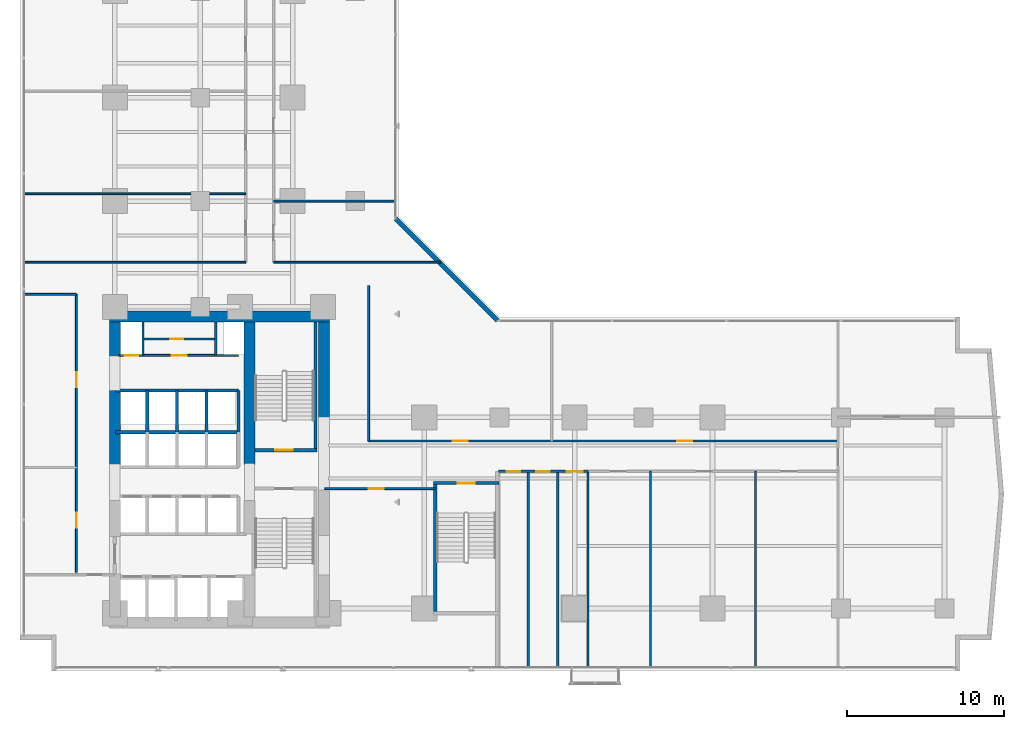
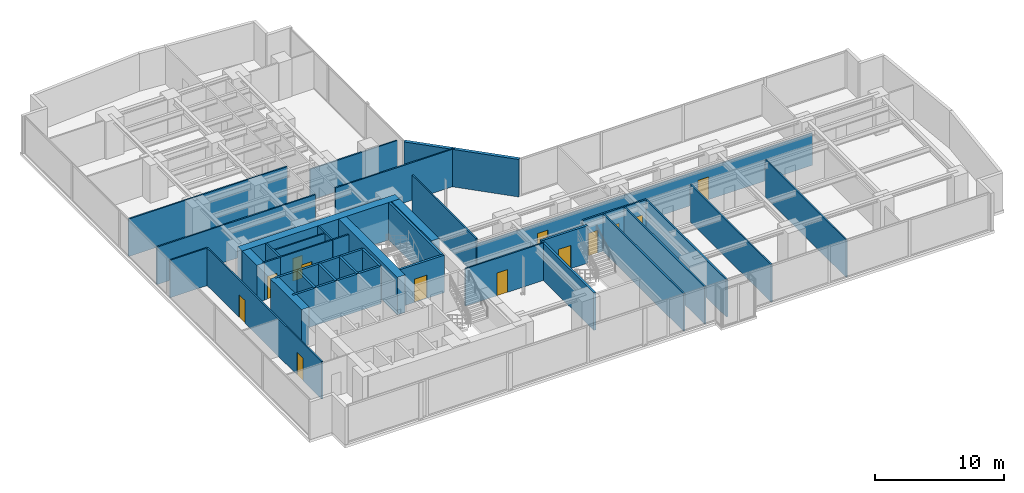
# One storey, part 23 of 28: 37 walls, 13 doors, 13 openings.
"""IFC4 building model written with IfcOpenShell, lengths in metres."""

import ifcopenshell
import ifcopenshell.guid

model = None  # the IFC model being written
_history = None  # IfcOwnerHistory: only IFC2X3 demands one
_inside = {}  # id of a spatial element -> (the spatial element, [elements in it])
_under = {}  # id of a project, library or spatial element -> (it, [spatial elements below it])
_declared = {}  # id of a project -> (the project, [libraries it declares])
_typed = {}  # id of a type object -> (the type object, [elements of that type])
_made_of = {}  # id of a material, layer set ... -> (it, [elements and type objects made of it])


def new_model(schema):
    """Start an empty IFC model of exactly this schema.

    Asked for "IFC4X3", IfcOpenShell would pick the latest addendum, in which some entities
    have other attributes; the version numbers below select the first issue.
    IFC2X3 requires an IfcOwnerHistory on every rooted entity: one is made here for all.
    """
    global model, _history
    if schema == "IFC4X3":
        model = ifcopenshell.file(schema_version=(4, 3, 0, 0))
    else:
        model = ifcopenshell.file(schema=schema)
    _inside.clear()
    _under.clear()
    _declared.clear()
    _typed.clear()
    _made_of.clear()
    _history = None
    if model.schema == "IFC2X3":
        org = make("IfcOrganization", Name="unknown")
        user = make(
            "IfcPersonAndOrganization",
            ThePerson=make("IfcPerson", FamilyName="unknown"),
            TheOrganization=org,
        )
        app = make(
            "IfcApplication",
            ApplicationDeveloper=org,
            Version="unknown",
            ApplicationFullName="unknown",
            ApplicationIdentifier="unknown",
        )
        _history = make(
            "IfcOwnerHistory",
            OwningUser=user,
            OwningApplication=app,
            ChangeAction="ADDED",
            CreationDate=0,
        )
    return model


def make(cls, **values):
    """One entity of the class cls with the attributes given. An attribute that is None is left unset."""
    return model.create_entity(
        cls, **{name: value for name, value in values.items() if value is not None}
    )


def rooted(cls, **values):
    """An entity with a GlobalId (a new one), such as an element, a storey or a relation."""
    return make(cls, GlobalId=ifcopenshell.guid.new(), OwnerHistory=_history, **values)


def si_unit(unit_type, name, prefix=None):
    """IfcSIUnit, for example si_unit("LENGTHUNIT", "METRE", prefix="MILLI")."""
    return make("IfcSIUnit", UnitType=unit_type, Prefix=prefix, Name=name)


def assignment(units):
    """IfcUnitAssignment: the units of a project."""
    return None if units is None else make("IfcUnitAssignment", Units=units)


def point(xyz):
    """IfcCartesianPoint."""
    return None if xyz is None else make("IfcCartesianPoint", Coordinates=xyz)


def direction(xyz):
    """IfcDirection."""
    return None if xyz is None else make("IfcDirection", DirectionRatios=xyz)


def frame(location, z_axis=None, x_axis=None):
    """IfcAxis2Placement3D, a coordinate frame: its origin and axes. An axis left out is left unset."""
    return make(
        "IfcAxis2Placement3D",
        Location=point(location),
        Axis=direction(z_axis),
        RefDirection=direction(x_axis),
    )


def frame_2d(location, x_axis=None):
    """IfcAxis2Placement2D, a coordinate frame in the plane: its origin and x axis."""
    return make(
        "IfcAxis2Placement2D", Location=point(location), RefDirection=direction(x_axis)
    )


def origin():
    """The frame at (0, 0, 0) with its axes left unset."""
    return frame((0.0, 0.0, 0.0))


def place(relative_to, where):
    """IfcLocalPlacement: puts the frame where relative to a parent placement (None: the world)."""
    return make(
        "IfcLocalPlacement", PlacementRelTo=relative_to, RelativePlacement=where
    )


def context(
    kind, dimensions, precision=None, world=None, true_north=None, identifier=None
):
    """IfcGeometricRepresentationContext, for example the 3D "Model" context."""
    return make(
        "IfcGeometricRepresentationContext",
        ContextIdentifier=identifier,
        ContextType=kind,
        CoordinateSpaceDimension=dimensions,
        Precision=precision,
        WorldCoordinateSystem=world,
        TrueNorth=true_north,
    )


def subcontext(parent, identifier, kind, view, scale=None):
    """IfcGeometricRepresentationSubContext, for example "Body" below "Model"."""
    return make(
        "IfcGeometricRepresentationSubContext",
        ContextIdentifier=identifier,
        ContextType=kind,
        ParentContext=parent,
        TargetScale=scale,
        TargetView=view,
    )


def project(units=None, contexts=None):
    """IfcProject with its units and contexts."""
    return rooted(
        "IfcProject",
        Name="project",
        RepresentationContexts=contexts,
        UnitsInContext=assignment(units),
    )


def spatial(cls, under=None, at=None, **own):
    """A site, building, storey or space (cls), placed at a placement, below another one or the project."""
    s = rooted(cls, ObjectPlacement=at, **own)
    if under is not None:
        _under.setdefault(under.id(), (under, []))[1].append(s)
    return s


def profile(cls, at=None, kind="AREA", **sizes):
    """A parametric profile (cls). Its sizes go by their IFC names, for example OverallWidth=200.0."""
    return make(cls, ProfileType=kind, Position=at, **sizes)


def rectangle(**sizes):
    """IfcRectangleProfileDef."""
    return profile("IfcRectangleProfileDef", **sizes)


def extrude(swept, where, along, depth):
    """IfcExtrudedAreaSolid: the profile swept, set in the frame where, extruded along a direction by depth."""
    return make(
        "IfcExtrudedAreaSolid",
        SweptArea=swept,
        Position=where,
        ExtrudedDirection=direction(along),
        Depth=depth,
    )


def shape(context_of_items, identifier, shape_type, items):
    """IfcShapeRepresentation: the items that make up one representation, for example the "Body"."""
    return make(
        "IfcShapeRepresentation",
        ContextOfItems=context_of_items,
        RepresentationIdentifier=identifier,
        RepresentationType=shape_type,
        Items=items,
    )


def material(Name=None, Category=None):
    """IfcMaterial."""
    return make("IfcMaterial", Name=Name, Category=Category)


def layer(
    of_material, thickness, ventilated=None, Name=None, Category=None, Priority=None
):
    """IfcMaterialLayer: one layer of a wall or slab, of a material (None: an air gap)."""
    return make(
        "IfcMaterialLayer",
        Material=of_material,
        LayerThickness=thickness,
        IsVentilated=ventilated,
        Name=Name,
        Category=Category,
        Priority=Priority,
    )


def layer_set(layers, Name=None):
    """IfcMaterialLayerSet."""
    return make("IfcMaterialLayerSet", MaterialLayers=layers, LayerSetName=Name)


def made_of(thing, what):
    """Note that an element or type object is made of a material, layer set ...; save() writes the relation."""
    if what is not None:
        _made_of.setdefault(what.id(), (what, []))[1].append(thing)
    return thing


def type_object(cls, material=None, **own):
    """A type object (cls), such as IfcWallType, which elements share."""
    return made_of(rooted(cls, **own), material)


def element(
    cls,
    number,
    at=None,
    inside=None,
    cuts=None,
    type_object=None,
    material=None,
    context=None,
    identifier="Body",
    shape_type=None,
    held_by="IfcProductDefinitionShape",
    body=None,
    shapes=None,
    **own,
):
    """One element of the class cls, such as IfcWall. Its Tag is "e" and its number.

    at: its placement. inside: the storey or other place that contains it. cuts: it is an
    opening in that element (IfcRelVoidsElement). A single representation is given by context,
    identifier, shape_type and body (its items); several are given by shapes. held_by: the class
    of the entity that holds the representations. save() writes the other relations.
    """
    e = rooted(cls, Tag="e%d" % number, ObjectPlacement=at, **own)
    if body is not None:
        shapes = [shape(context, identifier, shape_type, body)]
    if shapes is not None:
        e.Representation = make(held_by, Representations=shapes)
    if inside is not None:
        _inside.setdefault(inside.id(), (inside, []))[1].append(e)
    if cuts is not None:
        rooted(
            "IfcRelVoidsElement", RelatingBuildingElement=cuts, RelatedOpeningElement=e
        )
    if type_object is not None:
        _typed.setdefault(type_object.id(), (type_object, []))[1].append(e)
    return made_of(e, material)


def fill(opening, filler):
    """IfcRelFillsElement: the door or window that sits in an opening."""
    return rooted(
        "IfcRelFillsElement",
        RelatingOpeningElement=opening,
        RelatedBuildingElement=filler,
    )


def aggregate(whole, parts):
    """IfcRelAggregates: a whole, such as a stair, and the parts it consists of."""
    return rooted("IfcRelAggregates", RelatingObject=whole, RelatedObjects=parts)


def save(model, path):
    """Write the relations noted so far, then the file.

    IfcRelAggregates (storeys below a building ...), IfcRelContainedInSpatialStructure (elements
    in a storey), IfcRelDefinesByType, IfcRelAssociatesMaterial and IfcRelDeclares: one each for
    every whole, place, type object, material and project.
    """
    for whole, parts in _under.values():
        aggregate(whole, parts)
    for where, things in _inside.values():
        rooted(
            "IfcRelContainedInSpatialStructure",
            RelatedElements=things,
            RelatingStructure=where,
        )
    for kind, things in _typed.values():
        rooted("IfcRelDefinesByType", RelatedObjects=things, RelatingType=kind)
    for what, things in _made_of.values():
        rooted("IfcRelAssociatesMaterial", RelatedObjects=things, RelatingMaterial=what)
    for by, libraries in _declared.values():
        rooted("IfcRelDeclares", RelatingContext=by, RelatedDefinitions=libraries)
    model.write(path)


model = new_model("IFC4")

# Units and contexts
model_context = context("Model", 3, precision=1e-05, world=origin(), true_north=direction((0.0, 1.0)))
body_context = subcontext(model_context, "Body", "Model", "MODEL_VIEW")
ifc_project = project(units=[si_unit("LENGTHUNIT", "METRE"), si_unit("AREAUNIT", "SQUARE_METRE"), si_unit("VOLUMEUNIT", "CUBIC_METRE"), si_unit("PLANEANGLEUNIT", "RADIAN"), si_unit("MASSUNIT", "GRAM", prefix="KILO")], contexts=[model_context])

# Site, building, storey
site_placement = place(None, origin())
site = spatial("IfcSite", under=ifc_project, at=site_placement, CompositionType="ELEMENT")
building_placement = place(site_placement, origin())
building = spatial("IfcBuilding", under=site, at=building_placement, Name="Kolvaren Waterfront Exchange", CompositionType="ELEMENT")
storey_placement = place(building_placement, frame((0.0, 0.0, 56.199951171875)))
storey = spatial("IfcBuildingStorey", under=building, at=storey_placement, Name="L14", CompositionType="ELEMENT", Elevation=56.199951171875)

# Wall
ifc_material_1 = material(Name="Precast concrete C40/50", Category="concrete")
ifc_layer_1 = layer(ifc_material_1, 0.280029296875, Name="Precast concrete C40/50")
ifc_layer_set_1 = layer_set([ifc_layer_1], Name="Precast concrete C40/50")
wall_type_1 = type_object("IfcWallType", Name="ARC-EXT-TERR-280", PredefinedType="SOLIDWALL", material=ifc_layer_set_1)
wall_1_placement = place(storey_placement, frame((31.885009765625, 23.574951171875, 0.0), z_axis=(0.0, 0.0, 1.0), x_axis=(-0.707106781187, 0.707106781187, 0.0)))
element("IfcWall", 1, at=wall_1_placement, inside=storey, type_object=wall_type_1, Name="L14 notched corner spandrel pier ELBOW", PredefinedType="SOLIDWALL", context=body_context, shape_type="SweptSolid", body=[
    extrude(rectangle(XDim=9.20654296875, YDim=0.280029296875, at=frame_2d((4.603271484375, 0.0))), origin(), (0.0, 0.0, 1.0), 3.5400390625),
])

# Wall, opening, door
ifc_layer_2 = layer(ifc_material_1, 0.199951171875, Name="Precast concrete C40/50")
ifc_layer_set_2 = layer_set([ifc_layer_2], Name="Precast concrete C40/50")
wall_type_2 = type_object("IfcWallType", Name="ARC-FIRE-200", PredefinedType="PARTITIONING", material=ifc_layer_set_2)
wall_2_placement = place(storey_placement, frame((16.409912109375, 15.300048828125, 0.0), z_axis=(0.0, 0.0, 1.0), x_axis=(1.0, 0.0, 0.0)))
wall_2 = element("IfcWall", 2, at=wall_2_placement, inside=storey, type_object=wall_type_2, Name="L14 interior wall PW-L14-ST2-THROAT-N", PredefinedType="PARTITIONING", context=body_context, shape_type="SweptSolid", body=[
    extrude(rectangle(XDim=3.9501953125, YDim=0.199951171875, at=frame_2d((1.97509765625, 0.0))), origin(), (0.0, 0.0, 1.0), 3.5400390625),
])
opening_1_placement = place(wall_2_placement, frame((1.293701171875, 0.0, 0.0)))
opening_1 = element("IfcOpeningElement", 3, at=opening_1_placement, cuts=wall_2, Name="Opening FD2", PredefinedType="OPENING", context=body_context, shape_type="SweptSolid", body=[
    extrude(rectangle(XDim=1.10009765625, YDim=2.199951171875, at=frame_2d((0.550048828125, 1.10009765625))), frame((0.0, 0.10986328125, 0.0), z_axis=(0.0, -1.0, 0.0), x_axis=(1.0, 0.0, 0.0)), (0.0, 0.0, 1.0), 0.219970703125),
])
ifc_material_2 = material(Name="Pressed steel smoke-seal fire door", Category="steel")
door_type_1 = type_object("IfcDoorType", Name="ARC-FD-1100", OperationType="NOTDEFINED", PredefinedType="DOOR", material=ifc_material_2)
door_1_placement = place(opening_1_placement, origin())
door_1 = element("IfcDoor", 4, at=door_1_placement, inside=storey, type_object=door_type_1, Name="L14 door DR-L14-ST2-IN (FD2)", OperationType="SINGLE_SWING_RIGHT", OverallHeight=2.199951171875, OverallWidth=1.10009765625, PredefinedType="DOOR", context=body_context, shape_type="SweptSolid", body=[
    extrude(rectangle(XDim=1.10009765625, YDim=2.199951171875, at=frame_2d((0.550048828125, 1.10009765625))), frame((0.0, 0.02490234375, 0.0), z_axis=(0.0, -1.0, 0.0), x_axis=(1.0, 0.0, 0.0)), (0.0, 0.0, 1.0), 0.050048828125),
])
fill(opening_1, door_1)

ifc_material_3 = material(Name="Acoustic gypsum steel stud", Category="steel")
ifc_layer_3 = layer(ifc_material_3, 0.125, Name="Acoustic gypsum steel stud")
ifc_layer_set_3 = layer_set([ifc_layer_3], Name="Acoustic gypsum steel stud")
wall_type_3 = type_object("IfcWallType", Name="ARC-PART-125", PredefinedType="PARTITIONING", material=ifc_layer_set_3)
wall_3_placement = place(storey_placement, frame((9.25, 21.35009765625, 0.0), z_axis=(0.0, 0.0, 1.0), x_axis=(1.0, 0.0, 0.0)))
wall_3 = element("IfcWall", 5, at=wall_3_placement, inside=storey, type_object=wall_type_3, Name="L14 interior wall PW-L14-SVC-EX-S", PredefinedType="PARTITIONING", context=body_context, shape_type="SweptSolid", body=[
    extrude(rectangle(XDim=4.64990234375, YDim=0.125, at=frame_2d((2.324951171875, 0.0))), origin(), (0.0, 0.0, 1.0), 3.5400390625),
])
opening_2_placement = place(wall_3_placement, frame((1.85009765625, 0.0, 0.0)))
opening_2 = element("IfcOpeningElement", 6, at=opening_2_placement, cuts=wall_3, Name="Opening D02", PredefinedType="OPENING", context=body_context, shape_type="SweptSolid", body=[
    extrude(rectangle(XDim=0.949951171875, YDim=2.14990234375, at=frame_2d((0.47509765625, 1.074951171875))), frame((0.0, 0.072509765625, 0.0), z_axis=(0.0, -1.0, 0.0), x_axis=(1.0, 0.0, 0.0)), (0.0, 0.0, 1.0), 0.14501953125),
])
ifc_material_4 = material(Name="Oak veneer acoustic timber", Category="wood")
door_type_2 = type_object("IfcDoorType", Name="ARC-DR-950", OperationType="NOTDEFINED", PredefinedType="DOOR", material=ifc_material_4)
door_2_placement = place(opening_2_placement, origin())
door_2 = element("IfcDoor", 7, at=door_2_placement, inside=storey, type_object=door_type_2, Name="L14 door DR-L14-SVC-DR-1 (D02)", OperationType="SINGLE_SWING_RIGHT", OverallHeight=2.14990234375, OverallWidth=0.949951171875, PredefinedType="DOOR", context=body_context, shape_type="SweptSolid", body=[
    extrude(rectangle(XDim=0.949951171875, YDim=2.14990234375, at=frame_2d((0.47509765625, 1.074951171875))), frame((0.0, 0.02490234375, 0.0), z_axis=(0.0, -1.0, 0.0), x_axis=(1.0, 0.0, 0.0)), (0.0, 0.0, 1.0), 0.050048828125),
])
fill(opening_2, door_2)

wall_4_placement = place(storey_placement, frame((9.25, 22.39990234375, 0.0), z_axis=(0.0, 0.0, 1.0), x_axis=(1.0, 0.0, 0.0)))
wall_4 = element("IfcWall", 8, at=wall_4_placement, inside=storey, type_object=wall_type_3, Name="L14 interior wall PW-L14-SVC-EX-HS", PredefinedType="PARTITIONING", context=body_context, shape_type="SweptSolid", body=[
    extrude(rectangle(XDim=4.64990234375, YDim=0.125, at=frame_2d((2.324951171875, 0.0))), origin(), (0.0, 0.0, 1.0), 3.5400390625),
])
opening_3_placement = place(wall_4_placement, frame((1.727783203125, 0.0, 0.0)))
opening_3 = element("IfcOpeningElement", 9, at=opening_3_placement, cuts=wall_4, Name="Opening D01", PredefinedType="OPENING", context=body_context, shape_type="SweptSolid", body=[
    extrude(rectangle(XDim=0.85009765625, YDim=2.14990234375, at=frame_2d((0.425048828125, 1.074951171875))), frame((0.0, 0.072509765625, 0.0), z_axis=(0.0, -1.0, 0.0), x_axis=(1.0, 0.0, 0.0)), (0.0, 0.0, 1.0), 0.14501953125),
])
ifc_material_5 = material(Name="Oak veneer timber leaf", Category="wood")
door_type_3 = type_object("IfcDoorType", Name="ARC-DR-900", OperationType="NOTDEFINED", PredefinedType="DOOR", material=ifc_material_5)
door_3_placement = place(opening_3_placement, origin())
door_3 = element("IfcDoor", 10, at=door_3_placement, inside=storey, type_object=door_type_3, Name="L14 door DR-L14-SVC-DR-2 (D01)", OperationType="SINGLE_SWING_LEFT", OverallHeight=2.14990234375, OverallWidth=0.85009765625, PredefinedType="DOOR", context=body_context, shape_type="SweptSolid", body=[
    extrude(rectangle(XDim=0.85009765625, YDim=2.14990234375, at=frame_2d((0.425048828125, 1.074951171875))), frame((0.0, 0.02490234375, 0.0), z_axis=(0.0, -1.0, 0.0), x_axis=(1.0, 0.0, 0.0)), (0.0, 0.0, 1.0), 0.050048828125),
])
fill(opening_3, door_3)

# Wall, openings, doors
wall_5_placement = place(storey_placement, frame((5.0, 7.5, 0.0), z_axis=(0.0, 0.0, 1.0), x_axis=(0.0, 1.0, 0.0)))
wall_5 = element("IfcWall", 11, at=wall_5_placement, inside=storey, type_object=wall_type_3, Name="L14 interior wall PW-L14-WFLANK-E", PredefinedType="PARTITIONING", context=body_context, shape_type="SweptSolid", body=[
    extrude(rectangle(XDim=17.75, YDim=0.125, at=frame_2d((8.875, 0.0))), origin(), (0.0, 0.0, 1.0), 3.5400390625),
])
opening_4_placement = place(wall_5_placement, frame((2.85009765625, 0.0, 0.0)))
opening_4 = element("IfcOpeningElement", 12, at=opening_4_placement, cuts=wall_5, Name="Opening D02", PredefinedType="OPENING", context=body_context, shape_type="SweptSolid", body=[
    extrude(rectangle(XDim=0.949951171875, YDim=2.14990234375, at=frame_2d((0.47509765625, 1.074951171875))), frame((0.0, 0.072509765625, 0.0), z_axis=(0.0, -1.0, 0.0), x_axis=(1.0, 0.0, 0.0)), (0.0, 0.0, 1.0), 0.14501953125),
])
opening_5_placement = place(wall_5_placement, frame((11.82080078125, 0.0, 0.0)))
opening_5 = element("IfcOpeningElement", 13, at=opening_5_placement, cuts=wall_5, Name="Opening D02", PredefinedType="OPENING", context=body_context, shape_type="SweptSolid", body=[
    extrude(rectangle(XDim=0.949951171875, YDim=2.14990234375, at=frame_2d((0.47509765625, 1.074951171875))), frame((0.0, 0.072509765625, 0.0), z_axis=(0.0, -1.0, 0.0), x_axis=(1.0, 0.0, 0.0)), (0.0, 0.0, 1.0), 0.14501953125),
])
door_4_placement = place(opening_4_placement, origin())
door_4 = element("IfcDoor", 14, at=door_4_placement, inside=storey, type_object=door_type_2, Name="L14 door DR-L14-WFL1-D (D02)", OperationType="SINGLE_SWING_RIGHT", OverallHeight=2.14990234375, OverallWidth=0.949951171875, PredefinedType="DOOR", context=body_context, shape_type="SweptSolid", body=[
    extrude(rectangle(XDim=0.949951171875, YDim=2.14990234375, at=frame_2d((0.47509765625, 1.074951171875))), frame((0.0, 0.02490234375, 0.0), z_axis=(0.0, -1.0, 0.0), x_axis=(1.0, 0.0, 0.0)), (0.0, 0.0, 1.0), 0.050048828125),
])
fill(opening_4, door_4)
door_5_placement = place(opening_5_placement, origin())
door_5 = element("IfcDoor", 15, at=door_5_placement, inside=storey, type_object=door_type_2, Name="L14 door DR-L14-WFL2-D (D02)", OperationType="SINGLE_SWING_LEFT", OverallHeight=2.14990234375, OverallWidth=0.949951171875, PredefinedType="DOOR", context=body_context, shape_type="SweptSolid", body=[
    extrude(rectangle(XDim=0.949951171875, YDim=2.14990234375, at=frame_2d((0.47509765625, 1.074951171875))), frame((0.0, 0.02490234375, 0.0), z_axis=(0.0, -1.0, 0.0), x_axis=(1.0, 0.0, 0.0)), (0.0, 0.0, 1.0), 0.050048828125),
])
fill(opening_5, door_5)

# Wall
wall_6_placement = place(storey_placement, frame((1.639892578125, 25.25, 0.0), z_axis=(0.0, 0.0, 1.0), x_axis=(1.0, 0.0, 0.0)))
element("IfcWall", 16, at=wall_6_placement, inside=storey, type_object=wall_type_3, Name="L14 interior wall PW-L14-WFLANK-N", PredefinedType="PARTITIONING", context=body_context, shape_type="SweptSolid", body=[
    extrude(rectangle(XDim=3.360107421875, YDim=0.125, at=frame_2d((1.68017578125, 0.0))), origin(), (0.0, 0.0, 1.0), 3.5400390625),
])

# Wall, opening, door
wall_7_placement = place(storey_placement, frame((20.85009765625, 12.85009765625, 0.0), z_axis=(0.0, 0.0, 1.0), x_axis=(1.0, 0.0, 0.0)))
wall_7 = element("IfcWall", 17, at=wall_7_placement, inside=storey, type_object=wall_type_3, Name="L14 interior wall PW-L14-SWST3-N", PredefinedType="PARTITIONING", context=body_context, shape_type="SweptSolid", body=[
    extrude(rectangle(XDim=7.0498046875, YDim=0.125, at=frame_2d((3.52490234375, 0.0))), origin(), (0.0, 0.0, 1.0), 3.5400390625),
])
opening_6_placement = place(wall_7_placement, frame((2.800048828125, 0.0, 0.0)))
opening_6 = element("IfcOpeningElement", 18, at=opening_6_placement, cuts=wall_7, Name="Opening D02", PredefinedType="OPENING", context=body_context, shape_type="SweptSolid", body=[
    extrude(rectangle(XDim=0.949951171875, YDim=2.14990234375, at=frame_2d((0.47509765625, 1.074951171875))), frame((0.0, 0.072509765625, 0.0), z_axis=(0.0, -1.0, 0.0), x_axis=(1.0, 0.0, 0.0)), (0.0, 0.0, 1.0), 0.14501953125),
])
door_6_placement = place(opening_6_placement, origin())
door_6 = element("IfcDoor", 19, at=door_6_placement, inside=storey, type_object=door_type_2, Name="L14 door DR-L14-SWST3-D (D02)", OperationType="SINGLE_SWING_RIGHT", OverallHeight=2.14990234375, OverallWidth=0.949951171875, PredefinedType="DOOR", context=body_context, shape_type="SweptSolid", body=[
    extrude(rectangle(XDim=0.949951171875, YDim=2.14990234375, at=frame_2d((0.47509765625, 1.074951171875))), frame((0.0, 0.02490234375, 0.0), z_axis=(0.0, -1.0, 0.0), x_axis=(1.0, 0.0, 0.0)), (0.0, 0.0, 1.0), 0.050048828125),
])
fill(opening_6, door_6)

# Walls
for number, where, z_axis, x_axis, name in (
    (20, (41.639892578125, 1.43994140625, 0.0), (0.0, 0.0, 1.0), (0.0, 1.0, 0.0), "L14 interior wall PW-L14-ES-DIV-1"),
    (21, (48.340087890625, 1.43994140625, 0.0), (0.0, 0.0, 1.0), (0.0, 1.0, 0.0), "L14 interior wall PW-L14-ES-DIV-2"),
):
    element("IfcWall", number, at=place(storey_placement, frame(where, z_axis=z_axis, x_axis=x_axis)), inside=storey, type_object=wall_type_3, Name=name, PredefinedType="PARTITIONING", context=body_context, shape_type="SweptSolid", body=[
        extrude(rectangle(XDim=12.510009765625, YDim=0.125, at=frame_2d((6.2548828125, 0.0))), origin(), (0.0, 0.0, 1.0), 3.5400390625),
    ])
wall_8_placement = place(storey_placement, frame((23.64990234375, 15.889892578125, 0.0), z_axis=(0.0, 0.0, 1.0), x_axis=(0.0, 1.0, 0.0)))
element("IfcWall", 22, at=wall_8_placement, inside=storey, type_object=wall_type_3, Name="L14 interior wall PW-L14-EN-W0", PredefinedType="PARTITIONING", context=body_context, shape_type="SweptSolid", body=[
    extrude(rectangle(XDim=9.91015625, YDim=0.125, at=frame_2d((4.955078125, 0.0))), origin(), (0.0, 0.0, 1.0), 3.5400390625),
])

# Wall, openings, doors
wall_9_placement = place(storey_placement, frame((23.64990234375, 15.889892578125, 0.0), z_axis=(0.0, 0.0, 1.0), x_axis=(1.0, 0.0, 0.0)))
wall_9 = element("IfcWall", 23, at=wall_9_placement, inside=storey, type_object=wall_type_3, Name="L14 interior wall PW-L14-EN-CORR", PredefinedType="PARTITIONING", context=body_context, shape_type="SweptSolid", body=[
    extrude(rectangle(XDim=29.9501953125, YDim=0.125, at=frame_2d((14.97509765625, 0.0))), origin(), (0.0, 0.0, 1.0), 3.0400390625),
])
opening_7_placement = place(wall_9_placement, frame((5.364990234375, 0.0, 0.0)))
opening_7 = element("IfcOpeningElement", 24, at=opening_7_placement, cuts=wall_9, Name="Opening D02", PredefinedType="OPENING", context=body_context, shape_type="SweptSolid", body=[
    extrude(rectangle(XDim=0.949951171875, YDim=2.14990234375, at=frame_2d((0.47509765625, 1.074951171875))), frame((0.0, 0.072509765625, 0.0), z_axis=(0.0, -1.0, 0.0), x_axis=(1.0, 0.0, 0.0)), (0.0, 0.0, 1.0), 0.14501953125),
])
opening_8_placement = place(wall_9_placement, frame((19.70458984375, 0.0, 0.0)))
opening_8 = element("IfcOpeningElement", 25, at=opening_8_placement, cuts=wall_9, Name="Opening D02", PredefinedType="OPENING", context=body_context, shape_type="SweptSolid", body=[
    extrude(rectangle(XDim=0.949951171875, YDim=2.14990234375, at=frame_2d((0.47509765625, 1.074951171875))), frame((0.0, 0.072509765625, 0.0), z_axis=(0.0, -1.0, 0.0), x_axis=(1.0, 0.0, 0.0)), (0.0, 0.0, 1.0), 0.14501953125),
])
door_7_placement = place(opening_7_placement, origin())
door_7 = element("IfcDoor", 26, at=door_7_placement, inside=storey, type_object=door_type_2, Name="L14 door DR-L14-EN-D-1 (D02)", OperationType="SINGLE_SWING_RIGHT", OverallHeight=2.14990234375, OverallWidth=0.949951171875, PredefinedType="DOOR", context=body_context, shape_type="SweptSolid", body=[
    extrude(rectangle(XDim=0.949951171875, YDim=2.14990234375, at=frame_2d((0.47509765625, 1.074951171875))), frame((0.0, 0.02490234375, 0.0), z_axis=(0.0, -1.0, 0.0), x_axis=(1.0, 0.0, 0.0)), (0.0, 0.0, 1.0), 0.050048828125),
])
fill(opening_7, door_7)
door_8_placement = place(opening_8_placement, origin())
door_8 = element("IfcDoor", 27, at=door_8_placement, inside=storey, type_object=door_type_2, Name="L14 door DR-L14-EN-D-2 (D02)", OperationType="SINGLE_SWING_LEFT", OverallHeight=2.14990234375, OverallWidth=0.949951171875, PredefinedType="DOOR", context=body_context, shape_type="SweptSolid", body=[
    extrude(rectangle(XDim=0.949951171875, YDim=2.14990234375, at=frame_2d((0.47509765625, 1.074951171875))), frame((0.0, 0.02490234375, 0.0), z_axis=(0.0, -1.0, 0.0), x_axis=(1.0, 0.0, 0.0)), (0.0, 0.0, 1.0), 0.050048828125),
])
fill(opening_8, door_8)

# Walls
for number, where, z_axis, x_axis, name in (
    (28, (1.639892578125, 27.300048828125, 0.0), (0.0, 0.0, 1.0), (1.0, 0.0, 0.0), "L14 interior wall PW-L14-NW-S0"),
    (29, (1.639892578125, 31.669921875, 0.0), (0.0, 0.0, 1.0), (1.0, 0.0, 0.0), "L14 interior wall PW-L14-NW-DIV-1"),
):
    element("IfcWall", number, at=place(storey_placement, frame(where, z_axis=z_axis, x_axis=x_axis)), inside=storey, type_object=wall_type_3, Name=name, PredefinedType="PARTITIONING", context=body_context, shape_type="SweptSolid", body=[
        extrude(rectangle(XDim=14.16015625, YDim=0.125, at=frame_2d((7.080078125, 0.0))), origin(), (0.0, 0.0, 1.0), 3.5400390625),
    ])
wall_10_placement = place(storey_placement, frame((17.580078125, 27.300048828125, 0.0), z_axis=(0.0, 0.0, 1.0), x_axis=(1.0, 0.0, 0.0)))
element("IfcWall", 30, at=wall_10_placement, inside=storey, type_object=wall_type_3, Name="L14 interior wall PW-L14-NE-S0", PredefinedType="PARTITIONING", context=body_context, shape_type="SweptSolid", body=[
    extrude(rectangle(XDim=10.679931640625, YDim=0.125, at=frame_2d((5.33984375, 0.0))), origin(), (0.0, 0.0, 1.0), 3.5400390625),
])
wall_11_placement = place(storey_placement, frame((17.580078125, 31.199951171875, 0.0), z_axis=(0.0, 0.0, 1.0), x_axis=(1.0, 0.0, 0.0)))
element("IfcWall", 31, at=wall_11_placement, inside=storey, type_object=wall_type_3, Name="L14 interior wall PW-L14-NE-DIV-1", PredefinedType="PARTITIONING", context=body_context, shape_type="SweptSolid", body=[
    extrude(rectangle(XDim=7.780029296875, YDim=0.125, at=frame_2d((3.89013671875, 0.0))), origin(), (0.0, 0.0, 1.0), 2.93994140625),
])
ifc_material_6 = material(Name="Gypsum fireboard steel stud", Category="steel")
ifc_layer_4 = layer(ifc_material_6, 0.14990234375, Name="Gypsum fireboard steel stud")
ifc_layer_set_4 = layer_set([ifc_layer_4], Name="Gypsum fireboard steel stud")
wall_type_4 = type_object("IfcWallType", Name="ARC-PART-150", PredefinedType="PARTITIONING", material=ifc_layer_set_4)
for number, where, z_axis, x_axis, name in (
    (32, (9.25, 21.35009765625, 0.0), (0.0, 0.0, 1.0), (0.0, 1.0, 0.0), "L14 interior wall PW-L14-SVC-R1"),
    (33, (13.89990234375, 21.35009765625, 0.0), (0.0, 0.0, 1.0), (0.0, 1.0, 0.0), "L14 interior wall PW-L14-SVC-R2"),
):
    element("IfcWall", number, at=place(storey_placement, frame(where, z_axis=z_axis, x_axis=x_axis)), inside=storey, type_object=wall_type_4, Name=name, PredefinedType="PARTITIONING", context=body_context, shape_type="SweptSolid", body=[
        extrude(rectangle(XDim=2.1298828125, YDim=0.14990234375, at=frame_2d((1.06494140625, 0.0))), origin(), (0.0, 0.0, 1.0), 3.5400390625),
    ])

# Wall, opening, door
wall_12_placement = place(storey_placement, frame((7.699951171875, 21.35009765625, 0.0), z_axis=(0.0, 0.0, 1.0), x_axis=(1.0, 0.0, 0.0)))
wall_12 = element("IfcWall", 34, at=wall_12_placement, inside=storey, type_object=wall_type_4, Name="L14 interior wall PW-L14-SVC-RE-S", PredefinedType="PARTITIONING", context=body_context, shape_type="SweptSolid", body=[
    extrude(rectangle(XDim=1.550048828125, YDim=0.14990234375, at=frame_2d((0.77490234375, 0.0))), origin(), (0.0, 0.0, 1.0), 3.5400390625),
])
opening_9_placement = place(wall_12_placement, frame((0.389892578125, 0.0, 0.0)))
opening_9 = element("IfcOpeningElement", 35, at=opening_9_placement, cuts=wall_12, Name="Opening FD1", PredefinedType="OPENING", context=body_context, shape_type="SweptSolid", body=[
    extrude(rectangle(XDim=0.85009765625, YDim=2.14990234375, at=frame_2d((0.425048828125, 1.074951171875))), frame((0.0, 0.0849609375, 0.0), z_axis=(0.0, -1.0, 0.0), x_axis=(1.0, 0.0, 0.0)), (0.0, 0.0, 1.0), 0.169921875),
])
ifc_material_7 = material(Name="Pressed steel fire leaf", Category="steel")
door_type_4 = type_object("IfcDoorType", Name="ARC-FD-900", OperationType="NOTDEFINED", PredefinedType="DOOR", material=ifc_material_7)
door_9_placement = place(opening_9_placement, origin())
door_9 = element("IfcDoor", 36, at=door_9_placement, inside=storey, type_object=door_type_4, Name="L14 door DR-L14-RISER-E-DR (FD1)", OperationType="SINGLE_SWING_LEFT", OverallHeight=2.14990234375, OverallWidth=0.85009765625, PredefinedType="DOOR", context=body_context, shape_type="SweptSolid", body=[
    extrude(rectangle(XDim=0.85009765625, YDim=2.14990234375, at=frame_2d((0.425048828125, 1.074951171875))), frame((0.0, 0.02490234375, 0.0), z_axis=(0.0, -1.0, 0.0), x_axis=(1.0, 0.0, 0.0)), (0.0, 0.0, 1.0), 0.050048828125),
])
fill(opening_9, door_9)

# Wall
wall_13_placement = place(storey_placement, frame((13.89990234375, 21.35009765625, 0.0), z_axis=(0.0, 0.0, 1.0), x_axis=(1.0, 0.0, 0.0)))
element("IfcWall", 37, at=wall_13_placement, inside=storey, type_object=wall_type_4, Name="L14 interior wall PW-L14-SVC-RP-S", PredefinedType="PARTITIONING", context=body_context, shape_type="SweptSolid", body=[
    extrude(rectangle(XDim=1.4501953125, YDim=0.14990234375, at=frame_2d((0.72509765625, 0.0))), origin(), (0.0, 0.0, 1.0), 3.5400390625),
])

# Wall, openings, doors
ifc_material_8 = material(Name="Moisture-resistant gypsum stud")
ifc_layer_5 = layer(ifc_material_8, 0.14990234375, Name="Moisture-resistant gypsum stud")
ifc_layer_set_5 = layer_set([ifc_layer_5], Name="Moisture-resistant gypsum stud")
wall_type_5 = type_object("IfcWallType", Name="ARC-PLUMB-150", PredefinedType="PLUMBINGWALL", material=ifc_layer_set_5)
wall_14_placement = place(storey_placement, frame((31.949951171875, 13.949951171875, 0.0), z_axis=(0.0, 0.0, 1.0), x_axis=(1.0, 0.0, 0.0)))
wall_14 = element("IfcWall", 38, at=wall_14_placement, inside=storey, type_object=wall_type_5, Name="L14 interior wall PW-L14-WC-N", PredefinedType="PLUMBINGWALL", context=body_context, shape_type="SweptSolid", body=[
    extrude(rectangle(XDim=5.699951171875, YDim=0.14990234375, at=frame_2d((2.85009765625, 0.0))), origin(), (0.0, 0.0, 1.0), 3.5400390625),
])
opening_10_placement = place(wall_14_placement, frame((0.514892578125, 0.0, 0.0)))
opening_10 = element("IfcOpeningElement", 39, at=opening_10_placement, cuts=wall_14, Name="Opening D01", PredefinedType="OPENING", context=body_context, shape_type="SweptSolid", body=[
    extrude(rectangle(XDim=0.85009765625, YDim=2.14990234375, at=frame_2d((0.425048828125, 1.074951171875))), frame((0.0, 0.0849609375, 0.0), z_axis=(0.0, -1.0, 0.0), x_axis=(1.0, 0.0, 0.0)), (0.0, 0.0, 1.0), 0.169921875),
])
opening_11_placement = place(wall_14_placement, frame((2.39501953125, 0.0, 0.0)))
opening_11 = element("IfcOpeningElement", 40, at=opening_11_placement, cuts=wall_14, Name="Opening D01", PredefinedType="OPENING", context=body_context, shape_type="SweptSolid", body=[
    extrude(rectangle(XDim=0.85009765625, YDim=2.14990234375, at=frame_2d((0.425048828125, 1.074951171875))), frame((0.0, 0.0849609375, 0.0), z_axis=(0.0, -1.0, 0.0), x_axis=(1.0, 0.0, 0.0)), (0.0, 0.0, 1.0), 0.169921875),
])
opening_12_placement = place(wall_14_placement, frame((4.35009765625, 0.0, 0.0)))
opening_12 = element("IfcOpeningElement", 41, at=opening_12_placement, cuts=wall_14, Name="Opening D03", PredefinedType="OPENING", context=body_context, shape_type="SweptSolid", body=[
    extrude(rectangle(XDim=1.0, YDim=2.199951171875, at=frame_2d((0.5, 1.10009765625))), frame((0.0, 0.0849609375, 0.0), z_axis=(0.0, -1.0, 0.0), x_axis=(1.0, 0.0, 0.0)), (0.0, 0.0, 1.0), 0.169921875),
])
ifc_material_9 = material(Name="Oak veneer accessible timber", Category="wood")
door_type_5 = type_object("IfcDoorType", Name="ARC-DR-1000", OperationType="NOTDEFINED", PredefinedType="DOOR", material=ifc_material_9)
door_10_placement = place(opening_12_placement, origin())
door_10 = element("IfcDoor", 42, at=door_10_placement, inside=storey, type_object=door_type_5, Name="L14 door DR-L14-WCA-D (D03)", OperationType="SINGLE_SWING_RIGHT", OverallHeight=2.199951171875, OverallWidth=1.0, PredefinedType="DOOR", context=body_context, shape_type="SweptSolid", body=[
    extrude(rectangle(XDim=1.0, YDim=2.199951171875, at=frame_2d((0.5, 1.10009765625))), frame((0.0, 0.02490234375, 0.0), z_axis=(0.0, -1.0, 0.0), x_axis=(1.0, 0.0, 0.0)), (0.0, 0.0, 1.0), 0.050048828125),
])
fill(opening_12, door_10)
door_11_placement = place(opening_10_placement, origin())
door_11 = element("IfcDoor", 43, at=door_11_placement, inside=storey, type_object=door_type_3, Name="L14 door DR-L14-WCM-D (D01)", OperationType="SINGLE_SWING_RIGHT", OverallHeight=2.14990234375, OverallWidth=0.85009765625, PredefinedType="DOOR", context=body_context, shape_type="SweptSolid", body=[
    extrude(rectangle(XDim=0.85009765625, YDim=2.14990234375, at=frame_2d((0.425048828125, 1.074951171875))), frame((0.0, 0.02490234375, 0.0), z_axis=(0.0, -1.0, 0.0), x_axis=(1.0, 0.0, 0.0)), (0.0, 0.0, 1.0), 0.050048828125),
])
fill(opening_10, door_11)
door_12_placement = place(opening_11_placement, origin())
door_12 = element("IfcDoor", 44, at=door_12_placement, inside=storey, type_object=door_type_3, Name="L14 door DR-L14-WCF-D (D01)", OperationType="SINGLE_SWING_LEFT", OverallHeight=2.14990234375, OverallWidth=0.85009765625, PredefinedType="DOOR", context=body_context, shape_type="SweptSolid", body=[
    extrude(rectangle(XDim=0.85009765625, YDim=2.14990234375, at=frame_2d((0.425048828125, 1.074951171875))), frame((0.0, 0.02490234375, 0.0), z_axis=(0.0, -1.0, 0.0), x_axis=(1.0, 0.0, 0.0)), (0.0, 0.0, 1.0), 0.050048828125),
])
fill(opening_11, door_12)

# Walls
for number, where, z_axis, x_axis, name in (
    (45, (33.830078125, 1.43994140625, 0.0), (0.0, 0.0, 1.0), (0.0, 1.0, 0.0), "L14 interior wall PW-L14-WC-1"),
    (46, (35.7099609375, 1.43994140625, 0.0), (0.0, 0.0, 1.0), (0.0, 1.0, 0.0), "L14 interior wall PW-L14-WC-2"),
    (47, (37.64990234375, 1.43994140625, 0.0), (0.0, 0.0, 1.0), (0.0, 1.0, 0.0), "L14 interior wall PW-L14-WC-3"),
):
    element("IfcWall", number, at=place(storey_placement, frame(where, z_axis=z_axis, x_axis=x_axis)), inside=storey, type_object=wall_type_5, Name=name, PredefinedType="PLUMBINGWALL", context=body_context, shape_type="SweptSolid", body=[
        extrude(rectangle(XDim=12.510009765625, YDim=0.14990234375, at=frame_2d((6.2548828125, 0.0))), origin(), (0.0, 0.0, 1.0), 3.5400390625),
    ])
ifc_material_10 = material(Name="Concrete C40/50", Category="concrete")
ifc_layer_6 = layer(ifc_material_10, 0.199951171875, Name="Concrete C40/50")
ifc_layer_set_6 = layer_set([ifc_layer_6], Name="Concrete C40/50")
wall_type_6 = type_object("IfcWallType", Name="ARC-SHAFT-200", PredefinedType="PARTITIONING", material=ifc_layer_set_6)
wall_15_placement = place(storey_placement, frame((20.260009765625, 15.39990234375, 0.0), z_axis=(0.0, 0.0, 1.0), x_axis=(0.0, 1.0, 0.0)))
element("IfcWall", 48, at=wall_15_placement, inside=storey, type_object=wall_type_6, Name="L14 structural stairwell wall PW-L14-ST2-E", PredefinedType="SHEAR", context=body_context, shape_type="SweptSolid", body=[
    extrude(rectangle(XDim=8.090087890625, YDim=0.199951171875, at=frame_2d((4.044921875, 0.0))), origin(), (0.0, 0.0, 1.0), 3.5400390625),
])
wall_16_placement = place(storey_placement, frame((27.89990234375, 5.0, 0.0), z_axis=(0.0, 0.0, 1.0), x_axis=(0.0, 1.0, 0.0)))
element("IfcWall", 49, at=wall_16_placement, inside=storey, type_object=wall_type_6, Name="L14 structural stairwell wall PW-L14-ST3-W", PredefinedType="SHEAR", context=body_context, shape_type="SweptSolid", body=[
    extrude(rectangle(XDim=8.10009765625, YDim=0.199951171875, at=frame_2d((4.050048828125, 0.0))), origin(), (0.0, 0.0, 1.0), 3.5400390625),
])

# Wall, opening, door
wall_17_placement = place(storey_placement, frame((27.800048828125, 13.199951171875, 0.0), z_axis=(0.0, 0.0, 1.0), x_axis=(1.0, 0.0, 0.0)))
wall_17 = element("IfcWall", 50, at=wall_17_placement, inside=storey, type_object=wall_type_6, Name="L14 structural stairwell wall PW-L14-ST3-N", PredefinedType="SHEAR", context=body_context, shape_type="SweptSolid", body=[
    extrude(rectangle(XDim=4.159912109375, YDim=0.199951171875, at=frame_2d((2.080078125, 0.0))), origin(), (0.0, 0.0, 1.0), 3.5400390625),
])
opening_13_placement = place(wall_17_placement, frame((1.530029296875, 0.0, 0.0)))
opening_13 = element("IfcOpeningElement", 51, at=opening_13_placement, cuts=wall_17, Name="Opening FD2", PredefinedType="OPENING", context=body_context, shape_type="SweptSolid", body=[
    extrude(rectangle(XDim=1.10009765625, YDim=2.199951171875, at=frame_2d((0.550048828125, 1.10009765625))), frame((0.0, 0.10986328125, 0.0), z_axis=(0.0, -1.0, 0.0), x_axis=(1.0, 0.0, 0.0)), (0.0, 0.0, 1.0), 0.219970703125),
])
door_13_placement = place(opening_13_placement, frame((1.10009765625, 0.0, 0.0), z_axis=(0.0, 0.0, 1.0), x_axis=(-1.0, 0.0, 0.0)))
door_13 = element("IfcDoor", 52, at=door_13_placement, inside=storey, type_object=door_type_1, Name="L14 door DR-L14-ST3-IN (FD2)", OperationType="SINGLE_SWING_LEFT", OverallHeight=2.199951171875, OverallWidth=1.10009765625, PredefinedType="DOOR", context=body_context, shape_type="SweptSolid", body=[
    extrude(rectangle(XDim=1.10009765625, YDim=2.199951171875, at=frame_2d((0.550048828125, 1.10009765625))), frame((0.0, 0.02490234375, 0.0), z_axis=(0.0, -1.0, 0.0), x_axis=(1.0, 0.0, 0.0)), (0.0, 0.0, 1.0), 0.050048828125),
])
fill(opening_13, door_13)

# Walls
for number, where, z_axis, x_axis, name in (
    (53, (7.5, 16.449951171875, 0.0), (0.0, 0.0, 1.0), (1.0, 0.0, 0.0), "L14 interior wall PW-L14-PM-N"),
    (54, (7.5, 19.1201171875, 0.0), (0.0, 0.0, 1.0), (1.0, 0.0, 0.0), "L14 interior wall PW-L14-PH-N"),
):
    element("IfcWall", number, at=place(storey_placement, frame(where, z_axis=z_axis, x_axis=x_axis)), inside=storey, type_object=wall_type_6, Name=name, PredefinedType="PARTITIONING", context=body_context, shape_type="SweptSolid", body=[
        extrude(rectangle(XDim=7.85009765625, YDim=0.199951171875, at=frame_2d((3.925048828125, 0.0))), origin(), (0.0, 0.0, 1.0), 3.5400390625),
    ])
for number, where, z_axis, x_axis, name in (
    (55, (15.35009765625, 16.449951171875, 0.0), (0.0, 0.0, 1.0), (0.0, 1.0, 0.0), "L14 interior wall PW-L14-PH-E"),
    (56, (9.52001953125, 16.449951171875, 0.0), (0.0, 0.0, 1.0), (0.0, 1.0, 0.0), "L14 interior wall PW-L14-SH4-DIV-95"),
    (57, (11.409912109375, 16.449951171875, 0.0), (0.0, 0.0, 1.0), (0.0, 1.0, 0.0), "L14 interior wall PW-L14-SH4-DIV-114"),
    (58, (13.300048828125, 16.449951171875, 0.0), (0.0, 0.0, 1.0), (0.0, 1.0, 0.0), "L14 interior wall PW-L14-SH4-DIV-133"),
):
    element("IfcWall", number, at=place(storey_placement, frame(where, z_axis=z_axis, x_axis=x_axis)), inside=storey, type_object=wall_type_6, Name=name, PredefinedType="PARTITIONING", context=body_context, shape_type="SweptSolid", body=[
        extrude(rectangle(XDim=2.670166015625, YDim=0.199951171875, at=frame_2d((1.3349609375, 0.0))), origin(), (0.0, 0.0, 1.0), 3.5400390625),
    ])
ifc_material_11 = material(Name="Concrete C70/85", Category="concrete")
ifc_layer_7 = layer(ifc_material_11, 0.699951171875, Name="Concrete C70/85")
ifc_layer_set_7 = layer_set([ifc_layer_7], Name="Concrete C70/85")
wall_type_7 = type_object("IfcWallType", Name="STR-CWALL-700", PredefinedType="SHEAR", material=ifc_layer_set_7)
wall_18_placement = place(storey_placement, frame((7.10009765625, 23.85009765625, 0.0), z_axis=(0.0, 0.0, 1.0), x_axis=(1.0, 0.0, 0.0)))
element("IfcWall", 59, at=wall_18_placement, inside=storey, type_object=wall_type_7, Name="L14 rear-core shear wall N", PredefinedType="SHEAR", context=body_context, shape_type="SweptSolid", body=[
    extrude(rectangle(XDim=14.0498046875, YDim=0.699951171875, at=frame_2d((7.02490234375, 0.0))), origin(), (0.0, 0.0, 1.0), 3.5400390625),
])
wall_19_placement = place(storey_placement, frame((7.449951171875, 14.35009765625, 0.0), z_axis=(0.0, 0.0, 1.0), x_axis=(0.0, 1.0, 0.0)))
element("IfcWall", 60, at=wall_19_placement, inside=storey, type_object=wall_type_7, Name="L14 rear-core shear wall W2B", PredefinedType="SHEAR", context=body_context, shape_type="SweptSolid", body=[
    extrude(rectangle(XDim=4.809814453125, YDim=0.699951171875, at=frame_2d((2.40478515625, 0.0))), origin(), (0.0, 0.0, 1.0), 3.5400390625),
])
wall_20_placement = place(storey_placement, frame((7.449951171875, 21.239990234375, 0.0), z_axis=(0.0, 0.0, 1.0), x_axis=(0.0, 1.0, 0.0)))
element("IfcWall", 61, at=wall_20_placement, inside=storey, type_object=wall_type_7, Name="L14 rear-core shear wall W3", PredefinedType="SHEAR", context=body_context, shape_type="SweptSolid", body=[
    extrude(rectangle(XDim=2.260009765625, YDim=0.699951171875, at=frame_2d((1.1298828125, 0.0))), origin(), (0.0, 0.0, 1.0), 3.5400390625),
])
wall_21_placement = place(storey_placement, frame((20.800048828125, 17.35009765625, 0.0), z_axis=(0.0, 0.0, 1.0), x_axis=(0.0, 1.0, 0.0)))
element("IfcWall", 62, at=wall_21_placement, inside=storey, type_object=wall_type_7, Name="L14 rear-core shear wall E3", PredefinedType="SHEAR", context=body_context, shape_type="SweptSolid", body=[
    extrude(rectangle(XDim=6.14990234375, YDim=0.699951171875, at=frame_2d((3.074951171875, 0.0))), origin(), (0.0, 0.0, 1.0), 3.5400390625),
])
wall_22_placement = place(storey_placement, frame((16.050048828125, 14.39990234375, 0.0), z_axis=(0.0, 0.0, 1.0), x_axis=(0.0, 1.0, 0.0)))
element("IfcWall", 63, at=wall_22_placement, inside=storey, type_object=wall_type_7, Name="L14 rear-core shear wall M3", PredefinedType="SHEAR", context=body_context, shape_type="SweptSolid", body=[
    extrude(rectangle(XDim=9.10009765625, YDim=0.699951171875, at=frame_2d((4.550048828125, 0.0))), origin(), (0.0, 0.0, 1.0), 3.5400390625),
])

save(model, "model.ifc")
